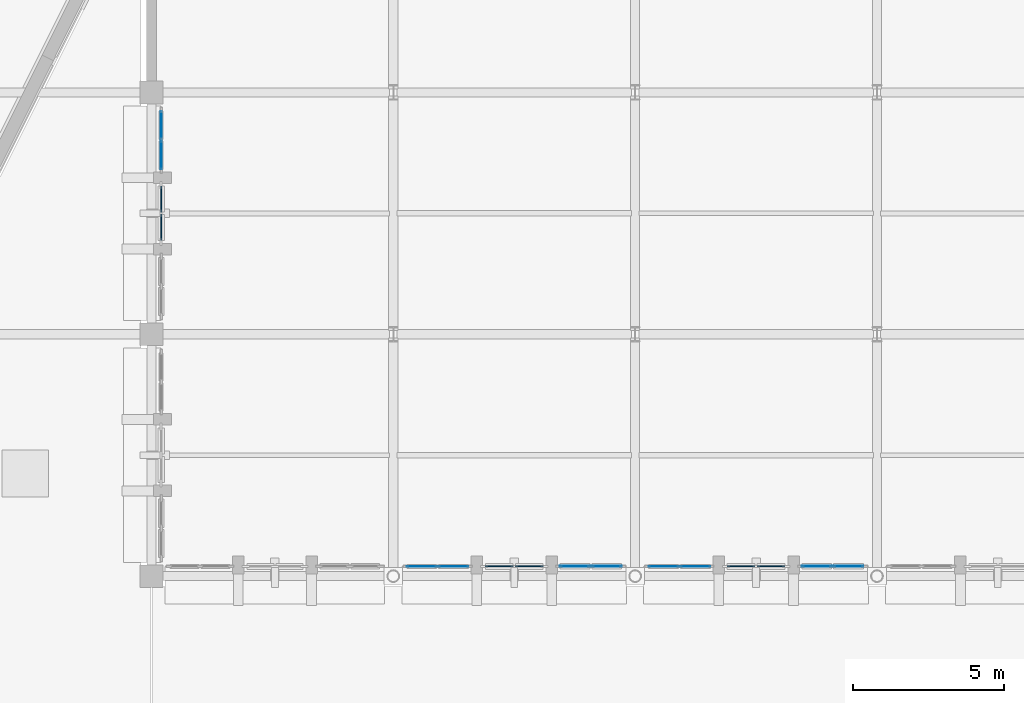
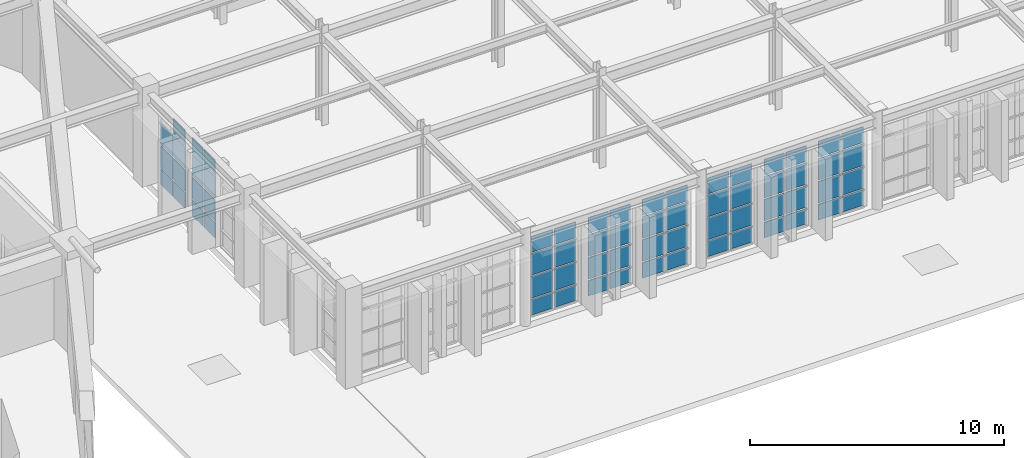
# One storey, part 110 of 155: 63 plates, 8 elements without a shape of their own.
"""IFC4 building model written with IfcOpenShell, lengths in metres."""

from ifc_helpers import new_model, si_unit, direction, frame, origin, origin_2d, place, context, subcontext, project, spatial, rectangle, extrude, material, layer, layer_set, type_object, element, aggregate, save


model = new_model("IFC4")

# Units and contexts
model_context = context("Model", 3, precision=1e-05, world=origin(), true_north=direction((0.0, 1.0)))
body_context = subcontext(model_context, "Body", "Model", "MODEL_VIEW")
ifc_project = project(units=[si_unit("LENGTHUNIT", "METRE"), si_unit("AREAUNIT", "SQUARE_METRE"), si_unit("VOLUMEUNIT", "CUBIC_METRE"), si_unit("PLANEANGLEUNIT", "RADIAN"), si_unit("MASSUNIT", "GRAM", prefix="KILO")], contexts=[model_context])

# Site, building, storey
site_placement = place(None, origin())
site = spatial("IfcSite", under=ifc_project, at=site_placement, CompositionType="ELEMENT")
building_placement = place(site_placement, origin())
building = spatial("IfcBuilding", under=site, at=building_placement, Name="Tazarka Park Arena", CompositionType="ELEMENT")
storey_placement = place(building_placement, frame((0.0, 0.0, 5.39990234375)))
storey = spatial("IfcBuildingStorey", under=building, at=storey_placement, Name="L01", CompositionType="ELEMENT", Elevation=5.39990234375)

# Curtain wall, plates
ifc_material_1 = material(Name="Aluminium and low-e glass", Category="aluminium")
ifc_layer_1 = layer(ifc_material_1, 0.179931640625, Name="Aluminium and low-e glass")
ifc_layer_set_1 = layer_set([ifc_layer_1], Name="Aluminium and low-e glass")
curtain_wall_type_1 = type_object("IfcCurtainWallType", Name="CW-12", PredefinedType="NOTDEFINED", material=ifc_layer_set_1)
curtain_wall_1_placement = place(storey_placement, origin())
curtain_wall_1 = element("IfcCurtainWall", 1, at=curtain_wall_1_placement, inside=storey, type_object=curtain_wall_type_1, Name="Curtain Wall CWA-L01-162", PredefinedType="NOTDEFINED")
ifc_material_2 = material(Name="Double low-e insulated glazing", Category="glass")
ifc_layer_2 = layer(ifc_material_2, 0.028076171875, Name="Double low-e insulated glazing")
ifc_layer_set_2 = layer_set([ifc_layer_2], Name="Double low-e insulated glazing")
plate_type_1 = type_object("IfcPlateType", Name="CWP-01", PredefinedType="CURTAIN_PANEL", material=ifc_layer_set_2)
plate_1_placement = place(storey_placement, frame((136.320068359375, 53.92138671875, 0.065185546875), z_axis=(0.0, 0.0, 1.0), x_axis=(0.0, 1.0, 0.0)))
plate_1 = element("IfcPlate", 2, at=plate_1_placement, type_object=plate_type_1, Name="CW-12 panel 1.1", PredefinedType="CURTAIN_PANEL", context=body_context, shape_type="SweptSolid", body=[
    extrude(rectangle(XDim=0.92919921875, YDim=0.028076171875, at=origin_2d()), origin(), (0.0, 0.0, 1.0), 0.75244140625),
])
plate_2_placement = place(storey_placement, frame((136.320068359375, 53.92138671875, 0.8828125), z_axis=(0.0, 0.0, 1.0), x_axis=(0.0, 1.0, 0.0)))
plate_2 = element("IfcPlate", 3, at=plate_2_placement, type_object=plate_type_1, Name="CW-12 panel 1.2", PredefinedType="CURTAIN_PANEL", context=body_context, shape_type="SweptSolid", body=[
    extrude(rectangle(XDim=0.92919921875, YDim=0.028076171875, at=origin_2d()), origin(), (0.0, 0.0, 1.0), 1.034912109375),
])
plate_3_placement = place(storey_placement, frame((136.320068359375, 53.92138671875, 1.982421875), z_axis=(0.0, 0.0, 1.0), x_axis=(0.0, 1.0, 0.0)))
plate_3 = element("IfcPlate", 4, at=plate_3_placement, type_object=plate_type_1, Name="CW-12 panel 1.3", PredefinedType="CURTAIN_PANEL", context=body_context, shape_type="SweptSolid", body=[
    extrude(rectangle(XDim=0.92919921875, YDim=0.028076171875, at=origin_2d()), origin(), (0.0, 0.0, 1.0), 1.034912109375),
])
plate_4_placement = place(storey_placement, frame((136.320068359375, 53.92138671875, 3.08251953125), z_axis=(0.0, 0.0, 1.0), x_axis=(0.0, 1.0, 0.0)))
plate_4 = element("IfcPlate", 5, at=plate_4_placement, type_object=plate_type_1, Name="CW-12 panel 1.4", PredefinedType="CURTAIN_PANEL", context=body_context, shape_type="SweptSolid", body=[
    extrude(rectangle(XDim=0.92919921875, YDim=0.028076171875, at=origin_2d()), origin(), (0.0, 0.0, 1.0), 0.75244140625),
])
plate_5_placement = place(storey_placement, frame((136.320068359375, 54.91552734375, 0.065185546875), z_axis=(0.0, 0.0, 1.0), x_axis=(0.0, 1.0, 0.0)))
plate_5 = element("IfcPlate", 6, at=plate_5_placement, type_object=plate_type_1, Name="CW-12 panel 2.1", PredefinedType="CURTAIN_PANEL", context=body_context, shape_type="SweptSolid", body=[
    extrude(rectangle(XDim=0.92919921875, YDim=0.028076171875, at=origin_2d()), origin(), (0.0, 0.0, 1.0), 0.75244140625),
])
plate_6_placement = place(storey_placement, frame((136.320068359375, 54.91552734375, 0.8828125), z_axis=(0.0, 0.0, 1.0), x_axis=(0.0, 1.0, 0.0)))
plate_6 = element("IfcPlate", 7, at=plate_6_placement, type_object=plate_type_1, Name="CW-12 panel 2.2", PredefinedType="CURTAIN_PANEL", context=body_context, shape_type="SweptSolid", body=[
    extrude(rectangle(XDim=0.92919921875, YDim=0.028076171875, at=origin_2d()), origin(), (0.0, 0.0, 1.0), 1.034912109375),
])
plate_7_placement = place(storey_placement, frame((136.320068359375, 54.91552734375, 1.982421875), z_axis=(0.0, 0.0, 1.0), x_axis=(0.0, 1.0, 0.0)))
plate_7 = element("IfcPlate", 8, at=plate_7_placement, type_object=plate_type_1, Name="CW-12 panel 2.3", PredefinedType="CURTAIN_PANEL", context=body_context, shape_type="SweptSolid", body=[
    extrude(rectangle(XDim=0.92919921875, YDim=0.028076171875, at=origin_2d()), origin(), (0.0, 0.0, 1.0), 1.034912109375),
])
aggregate(curtain_wall_1, [plate_1, plate_2, plate_3, plate_4, plate_5, plate_6, plate_7])

ifc_material_3 = material(Name="Aluminium and low-e glass", Category="aluminium")
ifc_layer_3 = layer(ifc_material_3, 0.179931640625, Name="Aluminium and low-e glass")
ifc_layer_set_3 = layer_set([ifc_layer_3], Name="Aluminium and low-e glass")
curtain_wall_type_2 = type_object("IfcCurtainWallType", Name="CW-21", PredefinedType="NOTDEFINED", material=ifc_layer_set_3)
curtain_wall_2_placement = place(storey_placement, origin())
curtain_wall_2 = element("IfcCurtainWall", 9, at=curtain_wall_2_placement, inside=storey, type_object=curtain_wall_type_2, Name="Curtain Wall CWA-L01-171", PredefinedType="NOTDEFINED")
plate_8_placement = place(storey_placement, frame((145.992919921875, 40.320068359375, 0.065185546875), z_axis=(0.0, 0.0, 1.0), x_axis=(-1.0, 0.0, 0.0)))
plate_8 = element("IfcPlate", 10, at=plate_8_placement, type_object=plate_type_1, Name="CW-21 panel 1.1", PredefinedType="CURTAIN_PANEL", context=body_context, shape_type="SweptSolid", body=[
    extrude(rectangle(XDim=0.986328125, YDim=0.028076171875, at=origin_2d()), origin(), (0.0, 0.0, 1.0), 0.75244140625),
])
plate_9_placement = place(storey_placement, frame((145.992919921875, 40.320068359375, 0.8828125), z_axis=(0.0, 0.0, 1.0), x_axis=(-1.0, 0.0, 0.0)))
plate_9 = element("IfcPlate", 11, at=plate_9_placement, type_object=plate_type_1, Name="CW-21 panel 1.2", PredefinedType="CURTAIN_PANEL", context=body_context, shape_type="SweptSolid", body=[
    extrude(rectangle(XDim=0.986328125, YDim=0.028076171875, at=origin_2d()), origin(), (0.0, 0.0, 1.0), 1.034912109375),
])
plate_10_placement = place(storey_placement, frame((145.992919921875, 40.320068359375, 1.982421875), z_axis=(0.0, 0.0, 1.0), x_axis=(-1.0, 0.0, 0.0)))
plate_10 = element("IfcPlate", 12, at=plate_10_placement, type_object=plate_type_1, Name="CW-21 panel 1.3", PredefinedType="CURTAIN_PANEL", context=body_context, shape_type="SweptSolid", body=[
    extrude(rectangle(XDim=0.986328125, YDim=0.028076171875, at=origin_2d()), origin(), (0.0, 0.0, 1.0), 1.034912109375),
])
plate_11_placement = place(storey_placement, frame((145.992919921875, 40.320068359375, 3.08251953125), z_axis=(0.0, 0.0, 1.0), x_axis=(-1.0, 0.0, 0.0)))
plate_11 = element("IfcPlate", 13, at=plate_11_placement, type_object=plate_type_1, Name="CW-21 panel 1.4", PredefinedType="CURTAIN_PANEL", context=body_context, shape_type="SweptSolid", body=[
    extrude(rectangle(XDim=0.986328125, YDim=0.028076171875, at=origin_2d()), origin(), (0.0, 0.0, 1.0), 0.762451171875),
])
plate_12_placement = place(storey_placement, frame((144.94140625, 40.320068359375, 0.065185546875), z_axis=(0.0, 0.0, 1.0), x_axis=(-1.0, 0.0, 0.0)))
plate_12 = element("IfcPlate", 14, at=plate_12_placement, type_object=plate_type_1, Name="CW-21 panel 2.1", PredefinedType="CURTAIN_PANEL", context=body_context, shape_type="SweptSolid", body=[
    extrude(rectangle(XDim=0.986328125, YDim=0.028076171875, at=origin_2d()), origin(), (0.0, 0.0, 1.0), 0.75244140625),
])
plate_13_placement = place(storey_placement, frame((144.94140625, 40.320068359375, 0.8828125), z_axis=(0.0, 0.0, 1.0), x_axis=(-1.0, 0.0, 0.0)))
plate_13 = element("IfcPlate", 15, at=plate_13_placement, type_object=plate_type_1, Name="CW-21 panel 2.2", PredefinedType="CURTAIN_PANEL", context=body_context, shape_type="SweptSolid", body=[
    extrude(rectangle(XDim=0.986328125, YDim=0.028076171875, at=origin_2d()), origin(), (0.0, 0.0, 1.0), 1.034912109375),
])
plate_14_placement = place(storey_placement, frame((144.94140625, 40.320068359375, 1.982421875), z_axis=(0.0, 0.0, 1.0), x_axis=(-1.0, 0.0, 0.0)))
plate_14 = element("IfcPlate", 16, at=plate_14_placement, type_object=plate_type_1, Name="CW-21 panel 2.3", PredefinedType="CURTAIN_PANEL", context=body_context, shape_type="SweptSolid", body=[
    extrude(rectangle(XDim=0.986328125, YDim=0.028076171875, at=origin_2d()), origin(), (0.0, 0.0, 1.0), 1.034912109375),
])
plate_15_placement = place(storey_placement, frame((144.94140625, 40.320068359375, 3.08251953125), z_axis=(0.0, 0.0, 1.0), x_axis=(-1.0, 0.0, 0.0)))
plate_15 = element("IfcPlate", 17, at=plate_15_placement, type_object=plate_type_1, Name="CW-21 panel 2.4", PredefinedType="CURTAIN_PANEL", context=body_context, shape_type="SweptSolid", body=[
    extrude(rectangle(XDim=0.986328125, YDim=0.028076171875, at=origin_2d()), origin(), (0.0, 0.0, 1.0), 0.762451171875),
])
aggregate(curtain_wall_2, [plate_8, plate_9, plate_10, plate_11, plate_12, plate_13, plate_14, plate_15])

ifc_material_4 = material(Name="Aluminium and low-e glass", Category="aluminium")
ifc_layer_4 = layer(ifc_material_4, 0.179931640625, Name="Aluminium and low-e glass")
ifc_layer_set_4 = layer_set([ifc_layer_4], Name="Aluminium and low-e glass")
curtain_wall_type_3 = type_object("IfcCurtainWallType", Name="CW-24", PredefinedType="NOTDEFINED", material=ifc_layer_set_4)
curtain_wall_3_placement = place(storey_placement, origin())
curtain_wall_3 = element("IfcCurtainWall", 18, at=curtain_wall_3_placement, inside=storey, type_object=curtain_wall_type_3, Name="Curtain Wall CWA-L01-174", PredefinedType="NOTDEFINED")
plate_16_placement = place(storey_placement, frame((153.992919921875, 40.320068359375, 0.065185546875), z_axis=(0.0, 0.0, 1.0), x_axis=(-1.0, 0.0, 0.0)))
plate_16 = element("IfcPlate", 19, at=plate_16_placement, type_object=plate_type_1, Name="CW-24 panel 1.1", PredefinedType="CURTAIN_PANEL", context=body_context, shape_type="SweptSolid", body=[
    extrude(rectangle(XDim=0.986328125, YDim=0.028076171875, at=origin_2d()), origin(), (0.0, 0.0, 1.0), 0.75244140625),
])
plate_17_placement = place(storey_placement, frame((153.992919921875, 40.320068359375, 0.8828125), z_axis=(0.0, 0.0, 1.0), x_axis=(-1.0, 0.0, 0.0)))
plate_17 = element("IfcPlate", 20, at=plate_17_placement, type_object=plate_type_1, Name="CW-24 panel 1.2", PredefinedType="CURTAIN_PANEL", context=body_context, shape_type="SweptSolid", body=[
    extrude(rectangle(XDim=0.986328125, YDim=0.028076171875, at=origin_2d()), origin(), (0.0, 0.0, 1.0), 1.034912109375),
])
plate_18_placement = place(storey_placement, frame((153.992919921875, 40.320068359375, 1.982421875), z_axis=(0.0, 0.0, 1.0), x_axis=(-1.0, 0.0, 0.0)))
plate_18 = element("IfcPlate", 21, at=plate_18_placement, type_object=plate_type_1, Name="CW-24 panel 1.3", PredefinedType="CURTAIN_PANEL", context=body_context, shape_type="SweptSolid", body=[
    extrude(rectangle(XDim=0.986328125, YDim=0.028076171875, at=origin_2d()), origin(), (0.0, 0.0, 1.0), 1.034912109375),
])
plate_19_placement = place(storey_placement, frame((153.992919921875, 40.320068359375, 3.08251953125), z_axis=(0.0, 0.0, 1.0), x_axis=(-1.0, 0.0, 0.0)))
plate_19 = element("IfcPlate", 22, at=plate_19_placement, type_object=plate_type_1, Name="CW-24 panel 1.4", PredefinedType="CURTAIN_PANEL", context=body_context, shape_type="SweptSolid", body=[
    extrude(rectangle(XDim=0.986328125, YDim=0.028076171875, at=origin_2d()), origin(), (0.0, 0.0, 1.0), 0.762451171875),
])
plate_20_placement = place(storey_placement, frame((152.94140625, 40.320068359375, 0.065185546875), z_axis=(0.0, 0.0, 1.0), x_axis=(-1.0, 0.0, 0.0)))
plate_20 = element("IfcPlate", 23, at=plate_20_placement, type_object=plate_type_1, Name="CW-24 panel 2.1", PredefinedType="CURTAIN_PANEL", context=body_context, shape_type="SweptSolid", body=[
    extrude(rectangle(XDim=0.986328125, YDim=0.028076171875, at=origin_2d()), origin(), (0.0, 0.0, 1.0), 0.75244140625),
])
plate_21_placement = place(storey_placement, frame((152.94140625, 40.320068359375, 0.8828125), z_axis=(0.0, 0.0, 1.0), x_axis=(-1.0, 0.0, 0.0)))
plate_21 = element("IfcPlate", 24, at=plate_21_placement, type_object=plate_type_1, Name="CW-24 panel 2.2", PredefinedType="CURTAIN_PANEL", context=body_context, shape_type="SweptSolid", body=[
    extrude(rectangle(XDim=0.986328125, YDim=0.028076171875, at=origin_2d()), origin(), (0.0, 0.0, 1.0), 1.034912109375),
])
plate_22_placement = place(storey_placement, frame((152.94140625, 40.320068359375, 1.982421875), z_axis=(0.0, 0.0, 1.0), x_axis=(-1.0, 0.0, 0.0)))
plate_22 = element("IfcPlate", 25, at=plate_22_placement, type_object=plate_type_1, Name="CW-24 panel 2.3", PredefinedType="CURTAIN_PANEL", context=body_context, shape_type="SweptSolid", body=[
    extrude(rectangle(XDim=0.986328125, YDim=0.028076171875, at=origin_2d()), origin(), (0.0, 0.0, 1.0), 1.034912109375),
])
plate_23_placement = place(storey_placement, frame((152.94140625, 40.320068359375, 3.08251953125), z_axis=(0.0, 0.0, 1.0), x_axis=(-1.0, 0.0, 0.0)))
plate_23 = element("IfcPlate", 26, at=plate_23_placement, type_object=plate_type_1, Name="CW-24 panel 2.4", PredefinedType="CURTAIN_PANEL", context=body_context, shape_type="SweptSolid", body=[
    extrude(rectangle(XDim=0.986328125, YDim=0.028076171875, at=origin_2d()), origin(), (0.0, 0.0, 1.0), 0.762451171875),
])
aggregate(curtain_wall_3, [plate_16, plate_17, plate_18, plate_19, plate_20, plate_21, plate_22, plate_23])

ifc_material_5 = material(Name="Aluminium and low-e glass", Category="aluminium")
ifc_layer_5 = layer(ifc_material_5, 0.179931640625, Name="Aluminium and low-e glass")
ifc_layer_set_5 = layer_set([ifc_layer_5], Name="Aluminium and low-e glass")
curtain_wall_type_4 = type_object("IfcCurtainWallType", Name="CW-19", PredefinedType="NOTDEFINED", material=ifc_layer_set_5)
curtain_wall_4_placement = place(storey_placement, origin())
curtain_wall_4 = element("IfcCurtainWall", 27, at=curtain_wall_4_placement, inside=storey, type_object=curtain_wall_type_4, Name="Curtain Wall CWA-L01-169", PredefinedType="NOTDEFINED")
ifc_material_6 = material(Name="Triple acoustic solar glazing", Category="glass")
ifc_layer_6 = layer(ifc_material_6, 0.031982421875, Name="Triple acoustic solar glazing")
ifc_layer_set_6 = layer_set([ifc_layer_6], Name="Triple acoustic solar glazing")
plate_type_2 = type_object("IfcPlateType", Name="CWP-02", PredefinedType="CURTAIN_PANEL", material=ifc_layer_set_6)
plate_24_placement = place(storey_placement, frame((151.05859375, 40.320068359375, 0.065185546875), z_axis=(0.0, 0.0, 1.0), x_axis=(-1.0, 0.0, 0.0)))
plate_24 = element("IfcPlate", 28, at=plate_24_placement, type_object=plate_type_2, Name="CW-19 panel 1.1", PredefinedType="CURTAIN_PANEL", context=body_context, shape_type="SweptSolid", body=[
    extrude(rectangle(XDim=0.986328125, YDim=0.031982421875, at=origin_2d()), origin(), (0.0, 0.0, 1.0), 0.75244140625),
])
plate_25_placement = place(storey_placement, frame((151.05859375, 40.320068359375, 0.8828125), z_axis=(0.0, 0.0, 1.0), x_axis=(-1.0, 0.0, 0.0)))
plate_25 = element("IfcPlate", 29, at=plate_25_placement, type_object=plate_type_2, Name="CW-19 panel 1.2", PredefinedType="CURTAIN_PANEL", context=body_context, shape_type="SweptSolid", body=[
    extrude(rectangle(XDim=0.986328125, YDim=0.031982421875, at=origin_2d()), origin(), (0.0, 0.0, 1.0), 1.034912109375),
])
plate_26_placement = place(storey_placement, frame((151.05859375, 40.320068359375, 1.982421875), z_axis=(0.0, 0.0, 1.0), x_axis=(-1.0, 0.0, 0.0)))
plate_26 = element("IfcPlate", 30, at=plate_26_placement, type_object=plate_type_2, Name="CW-19 panel 1.3", PredefinedType="CURTAIN_PANEL", context=body_context, shape_type="SweptSolid", body=[
    extrude(rectangle(XDim=0.986328125, YDim=0.031982421875, at=origin_2d()), origin(), (0.0, 0.0, 1.0), 1.034912109375),
])
plate_27_placement = place(storey_placement, frame((151.05859375, 40.320068359375, 3.08251953125), z_axis=(0.0, 0.0, 1.0), x_axis=(-1.0, 0.0, 0.0)))
plate_27 = element("IfcPlate", 31, at=plate_27_placement, type_object=plate_type_2, Name="CW-19 panel 1.4", PredefinedType="CURTAIN_PANEL", context=body_context, shape_type="SweptSolid", body=[
    extrude(rectangle(XDim=0.986328125, YDim=0.031982421875, at=origin_2d()), origin(), (0.0, 0.0, 1.0), 0.762451171875),
])
plate_28_placement = place(storey_placement, frame((150.007080078125, 40.320068359375, 0.065185546875), z_axis=(0.0, 0.0, 1.0), x_axis=(-1.0, 0.0, 0.0)))
plate_28 = element("IfcPlate", 32, at=plate_28_placement, type_object=plate_type_2, Name="CW-19 panel 2.1", PredefinedType="CURTAIN_PANEL", context=body_context, shape_type="SweptSolid", body=[
    extrude(rectangle(XDim=0.986328125, YDim=0.031982421875, at=origin_2d()), origin(), (0.0, 0.0, 1.0), 0.75244140625),
])
plate_29_placement = place(storey_placement, frame((150.007080078125, 40.320068359375, 0.8828125), z_axis=(0.0, 0.0, 1.0), x_axis=(-1.0, 0.0, 0.0)))
plate_29 = element("IfcPlate", 33, at=plate_29_placement, type_object=plate_type_2, Name="CW-19 panel 2.2", PredefinedType="CURTAIN_PANEL", context=body_context, shape_type="SweptSolid", body=[
    extrude(rectangle(XDim=0.986328125, YDim=0.031982421875, at=origin_2d()), origin(), (0.0, 0.0, 1.0), 1.034912109375),
])
plate_30_placement = place(storey_placement, frame((150.007080078125, 40.320068359375, 1.982421875), z_axis=(0.0, 0.0, 1.0), x_axis=(-1.0, 0.0, 0.0)))
plate_30 = element("IfcPlate", 34, at=plate_30_placement, type_object=plate_type_2, Name="CW-19 panel 2.3", PredefinedType="CURTAIN_PANEL", context=body_context, shape_type="SweptSolid", body=[
    extrude(rectangle(XDim=0.986328125, YDim=0.031982421875, at=origin_2d()), origin(), (0.0, 0.0, 1.0), 1.034912109375),
])
plate_31_placement = place(storey_placement, frame((150.007080078125, 40.320068359375, 3.08251953125), z_axis=(0.0, 0.0, 1.0), x_axis=(-1.0, 0.0, 0.0)))
plate_31 = element("IfcPlate", 35, at=plate_31_placement, type_object=plate_type_2, Name="CW-19 panel 2.4", PredefinedType="CURTAIN_PANEL", context=body_context, shape_type="SweptSolid", body=[
    extrude(rectangle(XDim=0.986328125, YDim=0.031982421875, at=origin_2d()), origin(), (0.0, 0.0, 1.0), 0.762451171875),
])
aggregate(curtain_wall_4, [plate_24, plate_25, plate_26, plate_27, plate_28, plate_29, plate_30, plate_31])

ifc_material_7 = material(Name="Aluminium and low-e glass", Category="aluminium")
ifc_layer_7 = layer(ifc_material_7, 0.179931640625, Name="Aluminium and low-e glass")
ifc_layer_set_7 = layer_set([ifc_layer_7], Name="Aluminium and low-e glass")
curtain_wall_type_5 = type_object("IfcCurtainWallType", Name="CW-22", PredefinedType="NOTDEFINED", material=ifc_layer_set_7)
curtain_wall_5_placement = place(storey_placement, origin())
curtain_wall_5 = element("IfcCurtainWall", 36, at=curtain_wall_5_placement, inside=storey, type_object=curtain_wall_type_5, Name="Curtain Wall CWA-L01-172", PredefinedType="NOTDEFINED")
plate_32_placement = place(storey_placement, frame((159.05859375, 40.320068359375, 0.065185546875), z_axis=(0.0, 0.0, 1.0), x_axis=(-1.0, 0.0, 0.0)))
plate_32 = element("IfcPlate", 37, at=plate_32_placement, type_object=plate_type_2, Name="CW-22 panel 1.1", PredefinedType="CURTAIN_PANEL", context=body_context, shape_type="SweptSolid", body=[
    extrude(rectangle(XDim=0.986328125, YDim=0.031982421875, at=origin_2d()), origin(), (0.0, 0.0, 1.0), 0.75244140625),
])
plate_33_placement = place(storey_placement, frame((159.05859375, 40.320068359375, 0.8828125), z_axis=(0.0, 0.0, 1.0), x_axis=(-1.0, 0.0, 0.0)))
plate_33 = element("IfcPlate", 38, at=plate_33_placement, type_object=plate_type_2, Name="CW-22 panel 1.2", PredefinedType="CURTAIN_PANEL", context=body_context, shape_type="SweptSolid", body=[
    extrude(rectangle(XDim=0.986328125, YDim=0.031982421875, at=origin_2d()), origin(), (0.0, 0.0, 1.0), 1.034912109375),
])
plate_34_placement = place(storey_placement, frame((159.05859375, 40.320068359375, 1.982421875), z_axis=(0.0, 0.0, 1.0), x_axis=(-1.0, 0.0, 0.0)))
plate_34 = element("IfcPlate", 39, at=plate_34_placement, type_object=plate_type_2, Name="CW-22 panel 1.3", PredefinedType="CURTAIN_PANEL", context=body_context, shape_type="SweptSolid", body=[
    extrude(rectangle(XDim=0.986328125, YDim=0.031982421875, at=origin_2d()), origin(), (0.0, 0.0, 1.0), 1.034912109375),
])
plate_35_placement = place(storey_placement, frame((159.05859375, 40.320068359375, 3.08251953125), z_axis=(0.0, 0.0, 1.0), x_axis=(-1.0, 0.0, 0.0)))
plate_35 = element("IfcPlate", 40, at=plate_35_placement, type_object=plate_type_2, Name="CW-22 panel 1.4", PredefinedType="CURTAIN_PANEL", context=body_context, shape_type="SweptSolid", body=[
    extrude(rectangle(XDim=0.986328125, YDim=0.031982421875, at=origin_2d()), origin(), (0.0, 0.0, 1.0), 0.762451171875),
])
plate_36_placement = place(storey_placement, frame((158.007080078125, 40.320068359375, 0.065185546875), z_axis=(0.0, 0.0, 1.0), x_axis=(-1.0, 0.0, 0.0)))
plate_36 = element("IfcPlate", 41, at=plate_36_placement, type_object=plate_type_2, Name="CW-22 panel 2.1", PredefinedType="CURTAIN_PANEL", context=body_context, shape_type="SweptSolid", body=[
    extrude(rectangle(XDim=0.986328125, YDim=0.031982421875, at=origin_2d()), origin(), (0.0, 0.0, 1.0), 0.75244140625),
])
plate_37_placement = place(storey_placement, frame((158.007080078125, 40.320068359375, 0.8828125), z_axis=(0.0, 0.0, 1.0), x_axis=(-1.0, 0.0, 0.0)))
plate_37 = element("IfcPlate", 42, at=plate_37_placement, type_object=plate_type_2, Name="CW-22 panel 2.2", PredefinedType="CURTAIN_PANEL", context=body_context, shape_type="SweptSolid", body=[
    extrude(rectangle(XDim=0.986328125, YDim=0.031982421875, at=origin_2d()), origin(), (0.0, 0.0, 1.0), 1.034912109375),
])
plate_38_placement = place(storey_placement, frame((158.007080078125, 40.320068359375, 1.982421875), z_axis=(0.0, 0.0, 1.0), x_axis=(-1.0, 0.0, 0.0)))
plate_38 = element("IfcPlate", 43, at=plate_38_placement, type_object=plate_type_2, Name="CW-22 panel 2.3", PredefinedType="CURTAIN_PANEL", context=body_context, shape_type="SweptSolid", body=[
    extrude(rectangle(XDim=0.986328125, YDim=0.031982421875, at=origin_2d()), origin(), (0.0, 0.0, 1.0), 1.034912109375),
])
plate_39_placement = place(storey_placement, frame((158.007080078125, 40.320068359375, 3.08251953125), z_axis=(0.0, 0.0, 1.0), x_axis=(-1.0, 0.0, 0.0)))
plate_39 = element("IfcPlate", 44, at=plate_39_placement, type_object=plate_type_2, Name="CW-22 panel 2.4", PredefinedType="CURTAIN_PANEL", context=body_context, shape_type="SweptSolid", body=[
    extrude(rectangle(XDim=0.986328125, YDim=0.031982421875, at=origin_2d()), origin(), (0.0, 0.0, 1.0), 0.762451171875),
])
aggregate(curtain_wall_5, [plate_32, plate_33, plate_34, plate_35, plate_36, plate_37, plate_38, plate_39])

ifc_material_8 = material(Name="Aluminium and low-e glass", Category="aluminium")
ifc_layer_8 = layer(ifc_material_8, 0.179931640625, Name="Aluminium and low-e glass")
ifc_layer_set_8 = layer_set([ifc_layer_8], Name="Aluminium and low-e glass")
curtain_wall_type_6 = type_object("IfcCurtainWallType", Name="CW-11", PredefinedType="NOTDEFINED", material=ifc_layer_set_8)
curtain_wall_6_placement = place(storey_placement, origin())
curtain_wall_6 = element("IfcCurtainWall", 45, at=curtain_wall_6_placement, inside=storey, type_object=curtain_wall_type_6, Name="Curtain Wall CWA-L01-161", PredefinedType="NOTDEFINED")
ifc_material_9 = material(Name="Insulated aluminium spandrel panel", Category="aluminium")
ifc_layer_9 = layer(ifc_material_9, 0.035888671875, Name="Insulated aluminium spandrel panel")
ifc_layer_set_9 = layer_set([ifc_layer_9], Name="Insulated aluminium spandrel panel")
plate_type_3 = type_object("IfcPlateType", Name="CWP-03", PredefinedType="CURTAIN_PANEL", material=ifc_layer_set_9)
plate_40_placement = place(storey_placement, frame((136.320068359375, 51.532958984375, 0.0751953125), z_axis=(0.0, 0.0, 1.0), x_axis=(0.0, 1.0, 0.0)))
plate_40 = element("IfcPlate", 46, at=plate_40_placement, type_object=plate_type_3, Name="CW-11 panel 1.1", PredefinedType="CURTAIN_PANEL", context=body_context, shape_type="SweptSolid", body=[
    extrude(rectangle(XDim=0.859130859375, YDim=0.035888671875, at=origin_2d()), origin(), (0.0, 0.0, 1.0), 0.737548828125),
])
plate_41_placement = place(storey_placement, frame((136.320068359375, 51.532958984375, 0.8876953125), z_axis=(0.0, 0.0, 1.0), x_axis=(0.0, 1.0, 0.0)))
plate_41 = element("IfcPlate", 47, at=plate_41_placement, type_object=plate_type_3, Name="CW-11 panel 1.2", PredefinedType="CURTAIN_PANEL", context=body_context, shape_type="SweptSolid", body=[
    extrude(rectangle(XDim=0.859130859375, YDim=0.035888671875, at=origin_2d()), origin(), (0.0, 0.0, 1.0), 1.02490234375),
])
plate_42_placement = place(storey_placement, frame((136.320068359375, 51.532958984375, 1.987548828125), z_axis=(0.0, 0.0, 1.0), x_axis=(0.0, 1.0, 0.0)))
plate_42 = element("IfcPlate", 48, at=plate_42_placement, type_object=plate_type_3, Name="CW-11 panel 1.3", PredefinedType="CURTAIN_PANEL", context=body_context, shape_type="SweptSolid", body=[
    extrude(rectangle(XDim=0.859130859375, YDim=0.035888671875, at=origin_2d()), origin(), (0.0, 0.0, 1.0), 1.02490234375),
])
plate_43_placement = place(storey_placement, frame((136.320068359375, 51.532958984375, 3.08740234375), z_axis=(0.0, 0.0, 1.0), x_axis=(0.0, 1.0, 0.0)))
plate_43 = element("IfcPlate", 49, at=plate_43_placement, type_object=plate_type_3, Name="CW-11 panel 1.4", PredefinedType="CURTAIN_PANEL", context=body_context, shape_type="SweptSolid", body=[
    extrude(rectangle(XDim=0.859130859375, YDim=0.035888671875, at=origin_2d()), origin(), (0.0, 0.0, 1.0), 0.737548828125),
])
plate_44_placement = place(storey_placement, frame((136.320068359375, 52.467041015625, 0.0751953125), z_axis=(0.0, 0.0, 1.0), x_axis=(0.0, 1.0, 0.0)))
plate_44 = element("IfcPlate", 50, at=plate_44_placement, type_object=plate_type_3, Name="CW-11 panel 2.1", PredefinedType="CURTAIN_PANEL", context=body_context, shape_type="SweptSolid", body=[
    extrude(rectangle(XDim=0.859130859375, YDim=0.035888671875, at=origin_2d()), origin(), (0.0, 0.0, 1.0), 0.737548828125),
])
plate_45_placement = place(storey_placement, frame((136.320068359375, 52.467041015625, 0.8876953125), z_axis=(0.0, 0.0, 1.0), x_axis=(0.0, 1.0, 0.0)))
plate_45 = element("IfcPlate", 51, at=plate_45_placement, type_object=plate_type_3, Name="CW-11 panel 2.2", PredefinedType="CURTAIN_PANEL", context=body_context, shape_type="SweptSolid", body=[
    extrude(rectangle(XDim=0.859130859375, YDim=0.035888671875, at=origin_2d()), origin(), (0.0, 0.0, 1.0), 1.02490234375),
])
plate_46_placement = place(storey_placement, frame((136.320068359375, 52.467041015625, 1.987548828125), z_axis=(0.0, 0.0, 1.0), x_axis=(0.0, 1.0, 0.0)))
plate_46 = element("IfcPlate", 52, at=plate_46_placement, type_object=plate_type_3, Name="CW-11 panel 2.3", PredefinedType="CURTAIN_PANEL", context=body_context, shape_type="SweptSolid", body=[
    extrude(rectangle(XDim=0.859130859375, YDim=0.035888671875, at=origin_2d()), origin(), (0.0, 0.0, 1.0), 1.02490234375),
])
plate_47_placement = place(storey_placement, frame((136.320068359375, 52.467041015625, 3.08740234375), z_axis=(0.0, 0.0, 1.0), x_axis=(0.0, 1.0, 0.0)))
plate_47 = element("IfcPlate", 53, at=plate_47_placement, type_object=plate_type_3, Name="CW-11 panel 2.4", PredefinedType="CURTAIN_PANEL", context=body_context, shape_type="SweptSolid", body=[
    extrude(rectangle(XDim=0.859130859375, YDim=0.035888671875, at=origin_2d()), origin(), (0.0, 0.0, 1.0), 0.737548828125),
])
aggregate(curtain_wall_6, [plate_40, plate_41, plate_42, plate_43, plate_44, plate_45, plate_46, plate_47])

ifc_material_10 = material(Name="Aluminium and low-e glass", Category="aluminium")
ifc_layer_10 = layer(ifc_material_10, 0.179931640625, Name="Aluminium and low-e glass")
ifc_layer_set_10 = layer_set([ifc_layer_10], Name="Aluminium and low-e glass")
curtain_wall_type_7 = type_object("IfcCurtainWallType", Name="CW-20", PredefinedType="NOTDEFINED", material=ifc_layer_set_10)
curtain_wall_7_placement = place(storey_placement, origin())
curtain_wall_7 = element("IfcCurtainWall", 54, at=curtain_wall_7_placement, inside=storey, type_object=curtain_wall_type_7, Name="Curtain Wall CWA-L01-170", PredefinedType="NOTDEFINED")
plate_48_placement = place(storey_placement, frame((148.49560546875, 40.320068359375, 0.0751953125), z_axis=(0.0, 0.0, 1.0), x_axis=(-1.0, 0.0, 0.0)))
plate_48 = element("IfcPlate", 55, at=plate_48_placement, type_object=plate_type_3, Name="CW-20 panel 1.1", PredefinedType="CURTAIN_PANEL", context=body_context, shape_type="SweptSolid", body=[
    extrude(rectangle(XDim=0.91650390625, YDim=0.035888671875, at=origin_2d()), origin(), (0.0, 0.0, 1.0), 0.737548828125),
])
plate_49_placement = place(storey_placement, frame((148.49560546875, 40.320068359375, 0.8876953125), z_axis=(0.0, 0.0, 1.0), x_axis=(-1.0, 0.0, 0.0)))
plate_49 = element("IfcPlate", 56, at=plate_49_placement, type_object=plate_type_3, Name="CW-20 panel 1.2", PredefinedType="CURTAIN_PANEL", context=body_context, shape_type="SweptSolid", body=[
    extrude(rectangle(XDim=0.91650390625, YDim=0.035888671875, at=origin_2d()), origin(), (0.0, 0.0, 1.0), 1.02490234375),
])
plate_50_placement = place(storey_placement, frame((148.49560546875, 40.320068359375, 1.987548828125), z_axis=(0.0, 0.0, 1.0), x_axis=(-1.0, 0.0, 0.0)))
plate_50 = element("IfcPlate", 57, at=plate_50_placement, type_object=plate_type_3, Name="CW-20 panel 1.3", PredefinedType="CURTAIN_PANEL", context=body_context, shape_type="SweptSolid", body=[
    extrude(rectangle(XDim=0.91650390625, YDim=0.035888671875, at=origin_2d()), origin(), (0.0, 0.0, 1.0), 1.02490234375),
])
plate_51_placement = place(storey_placement, frame((148.49560546875, 40.320068359375, 3.087646484375), z_axis=(0.0, 0.0, 1.0), x_axis=(-1.0, 0.0, 0.0)))
plate_51 = element("IfcPlate", 58, at=plate_51_placement, type_object=plate_type_3, Name="CW-20 panel 1.4", PredefinedType="CURTAIN_PANEL", context=body_context, shape_type="SweptSolid", body=[
    extrude(rectangle(XDim=0.91650390625, YDim=0.035888671875, at=origin_2d()), origin(), (0.0, 0.0, 1.0), 0.74755859375),
])
plate_52_placement = place(storey_placement, frame((147.50439453125, 40.320068359375, 0.0751953125), z_axis=(0.0, 0.0, 1.0), x_axis=(-1.0, 0.0, 0.0)))
plate_52 = element("IfcPlate", 59, at=plate_52_placement, type_object=plate_type_3, Name="CW-20 panel 2.1", PredefinedType="CURTAIN_PANEL", context=body_context, shape_type="SweptSolid", body=[
    extrude(rectangle(XDim=0.91650390625, YDim=0.035888671875, at=origin_2d()), origin(), (0.0, 0.0, 1.0), 0.737548828125),
])
plate_53_placement = place(storey_placement, frame((147.50439453125, 40.320068359375, 0.8876953125), z_axis=(0.0, 0.0, 1.0), x_axis=(-1.0, 0.0, 0.0)))
plate_53 = element("IfcPlate", 60, at=plate_53_placement, type_object=plate_type_3, Name="CW-20 panel 2.2", PredefinedType="CURTAIN_PANEL", context=body_context, shape_type="SweptSolid", body=[
    extrude(rectangle(XDim=0.91650390625, YDim=0.035888671875, at=origin_2d()), origin(), (0.0, 0.0, 1.0), 1.02490234375),
])
plate_54_placement = place(storey_placement, frame((147.50439453125, 40.320068359375, 1.987548828125), z_axis=(0.0, 0.0, 1.0), x_axis=(-1.0, 0.0, 0.0)))
plate_54 = element("IfcPlate", 61, at=plate_54_placement, type_object=plate_type_3, Name="CW-20 panel 2.3", PredefinedType="CURTAIN_PANEL", context=body_context, shape_type="SweptSolid", body=[
    extrude(rectangle(XDim=0.91650390625, YDim=0.035888671875, at=origin_2d()), origin(), (0.0, 0.0, 1.0), 1.02490234375),
])
plate_55_placement = place(storey_placement, frame((147.50439453125, 40.320068359375, 3.087646484375), z_axis=(0.0, 0.0, 1.0), x_axis=(-1.0, 0.0, 0.0)))
plate_55 = element("IfcPlate", 62, at=plate_55_placement, type_object=plate_type_3, Name="CW-20 panel 2.4", PredefinedType="CURTAIN_PANEL", context=body_context, shape_type="SweptSolid", body=[
    extrude(rectangle(XDim=0.91650390625, YDim=0.035888671875, at=origin_2d()), origin(), (0.0, 0.0, 1.0), 0.74755859375),
])
aggregate(curtain_wall_7, [plate_48, plate_49, plate_50, plate_51, plate_52, plate_53, plate_54, plate_55])

ifc_material_11 = material(Name="Aluminium and low-e glass", Category="aluminium")
ifc_layer_11 = layer(ifc_material_11, 0.179931640625, Name="Aluminium and low-e glass")
ifc_layer_set_11 = layer_set([ifc_layer_11], Name="Aluminium and low-e glass")
curtain_wall_type_8 = type_object("IfcCurtainWallType", Name="CW-23", PredefinedType="NOTDEFINED", material=ifc_layer_set_11)
curtain_wall_8_placement = place(storey_placement, origin())
curtain_wall_8 = element("IfcCurtainWall", 63, at=curtain_wall_8_placement, inside=storey, type_object=curtain_wall_type_8, Name="Curtain Wall CWA-L01-173", PredefinedType="NOTDEFINED")
plate_56_placement = place(storey_placement, frame((156.49560546875, 40.320068359375, 0.0751953125), z_axis=(0.0, 0.0, 1.0), x_axis=(-1.0, 0.0, 0.0)))
plate_56 = element("IfcPlate", 64, at=plate_56_placement, type_object=plate_type_3, Name="CW-23 panel 1.1", PredefinedType="CURTAIN_PANEL", context=body_context, shape_type="SweptSolid", body=[
    extrude(rectangle(XDim=0.91650390625, YDim=0.035888671875, at=origin_2d()), origin(), (0.0, 0.0, 1.0), 0.737548828125),
])
plate_57_placement = place(storey_placement, frame((156.49560546875, 40.320068359375, 0.8876953125), z_axis=(0.0, 0.0, 1.0), x_axis=(-1.0, 0.0, 0.0)))
plate_57 = element("IfcPlate", 65, at=plate_57_placement, type_object=plate_type_3, Name="CW-23 panel 1.2", PredefinedType="CURTAIN_PANEL", context=body_context, shape_type="SweptSolid", body=[
    extrude(rectangle(XDim=0.91650390625, YDim=0.035888671875, at=origin_2d()), origin(), (0.0, 0.0, 1.0), 1.02490234375),
])
plate_58_placement = place(storey_placement, frame((156.49560546875, 40.320068359375, 1.987548828125), z_axis=(0.0, 0.0, 1.0), x_axis=(-1.0, 0.0, 0.0)))
plate_58 = element("IfcPlate", 66, at=plate_58_placement, type_object=plate_type_3, Name="CW-23 panel 1.3", PredefinedType="CURTAIN_PANEL", context=body_context, shape_type="SweptSolid", body=[
    extrude(rectangle(XDim=0.91650390625, YDim=0.035888671875, at=origin_2d()), origin(), (0.0, 0.0, 1.0), 1.02490234375),
])
plate_59_placement = place(storey_placement, frame((156.49560546875, 40.320068359375, 3.087646484375), z_axis=(0.0, 0.0, 1.0), x_axis=(-1.0, 0.0, 0.0)))
plate_59 = element("IfcPlate", 67, at=plate_59_placement, type_object=plate_type_3, Name="CW-23 panel 1.4", PredefinedType="CURTAIN_PANEL", context=body_context, shape_type="SweptSolid", body=[
    extrude(rectangle(XDim=0.91650390625, YDim=0.035888671875, at=origin_2d()), origin(), (0.0, 0.0, 1.0), 0.74755859375),
])
plate_60_placement = place(storey_placement, frame((155.50439453125, 40.320068359375, 0.0751953125), z_axis=(0.0, 0.0, 1.0), x_axis=(-1.0, 0.0, 0.0)))
plate_60 = element("IfcPlate", 68, at=plate_60_placement, type_object=plate_type_3, Name="CW-23 panel 2.1", PredefinedType="CURTAIN_PANEL", context=body_context, shape_type="SweptSolid", body=[
    extrude(rectangle(XDim=0.91650390625, YDim=0.035888671875, at=origin_2d()), origin(), (0.0, 0.0, 1.0), 0.737548828125),
])
plate_61_placement = place(storey_placement, frame((155.50439453125, 40.320068359375, 0.8876953125), z_axis=(0.0, 0.0, 1.0), x_axis=(-1.0, 0.0, 0.0)))
plate_61 = element("IfcPlate", 69, at=plate_61_placement, type_object=plate_type_3, Name="CW-23 panel 2.2", PredefinedType="CURTAIN_PANEL", context=body_context, shape_type="SweptSolid", body=[
    extrude(rectangle(XDim=0.91650390625, YDim=0.035888671875, at=origin_2d()), origin(), (0.0, 0.0, 1.0), 1.02490234375),
])
plate_62_placement = place(storey_placement, frame((155.50439453125, 40.320068359375, 1.987548828125), z_axis=(0.0, 0.0, 1.0), x_axis=(-1.0, 0.0, 0.0)))
plate_62 = element("IfcPlate", 70, at=plate_62_placement, type_object=plate_type_3, Name="CW-23 panel 2.3", PredefinedType="CURTAIN_PANEL", context=body_context, shape_type="SweptSolid", body=[
    extrude(rectangle(XDim=0.91650390625, YDim=0.035888671875, at=origin_2d()), origin(), (0.0, 0.0, 1.0), 1.02490234375),
])
plate_63_placement = place(storey_placement, frame((155.50439453125, 40.320068359375, 3.087646484375), z_axis=(0.0, 0.0, 1.0), x_axis=(-1.0, 0.0, 0.0)))
plate_63 = element("IfcPlate", 71, at=plate_63_placement, type_object=plate_type_3, Name="CW-23 panel 2.4", PredefinedType="CURTAIN_PANEL", context=body_context, shape_type="SweptSolid", body=[
    extrude(rectangle(XDim=0.91650390625, YDim=0.035888671875, at=origin_2d()), origin(), (0.0, 0.0, 1.0), 0.74755859375),
])
aggregate(curtain_wall_8, [plate_56, plate_57, plate_58, plate_59, plate_60, plate_61, plate_62, plate_63])

save(model, "model.ifc")
